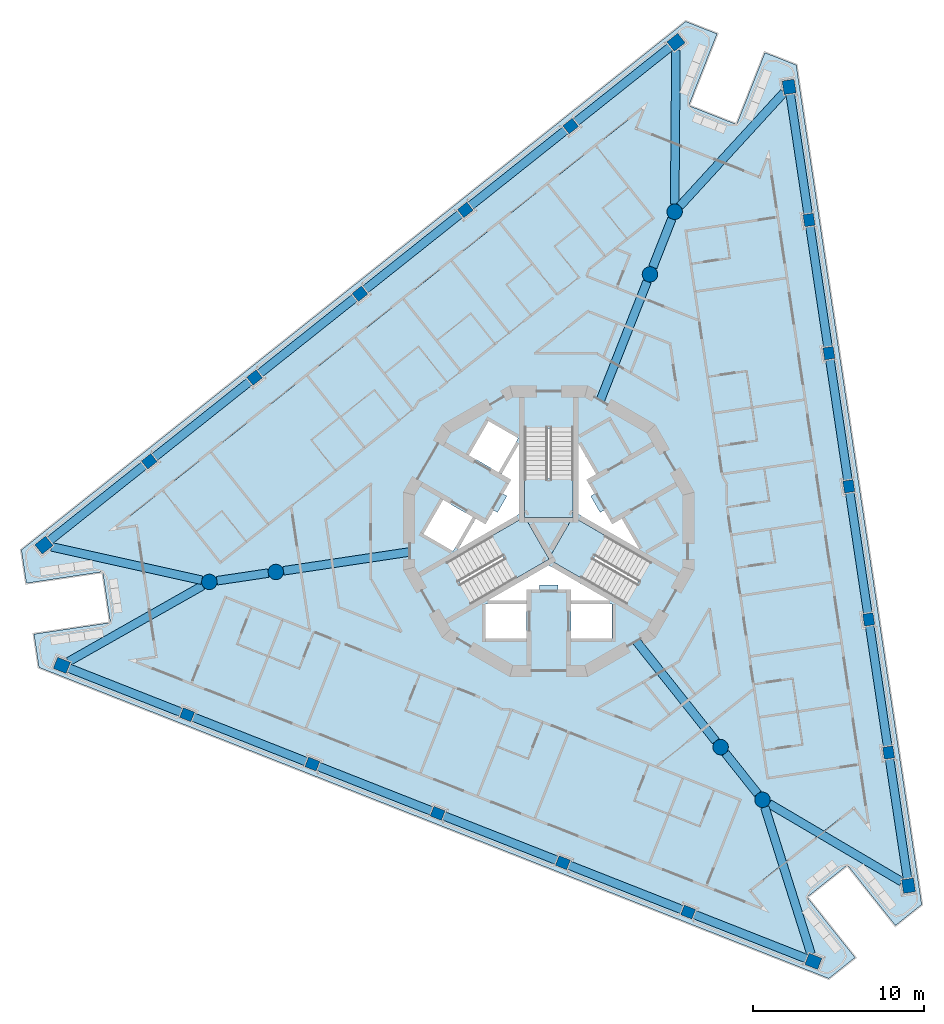
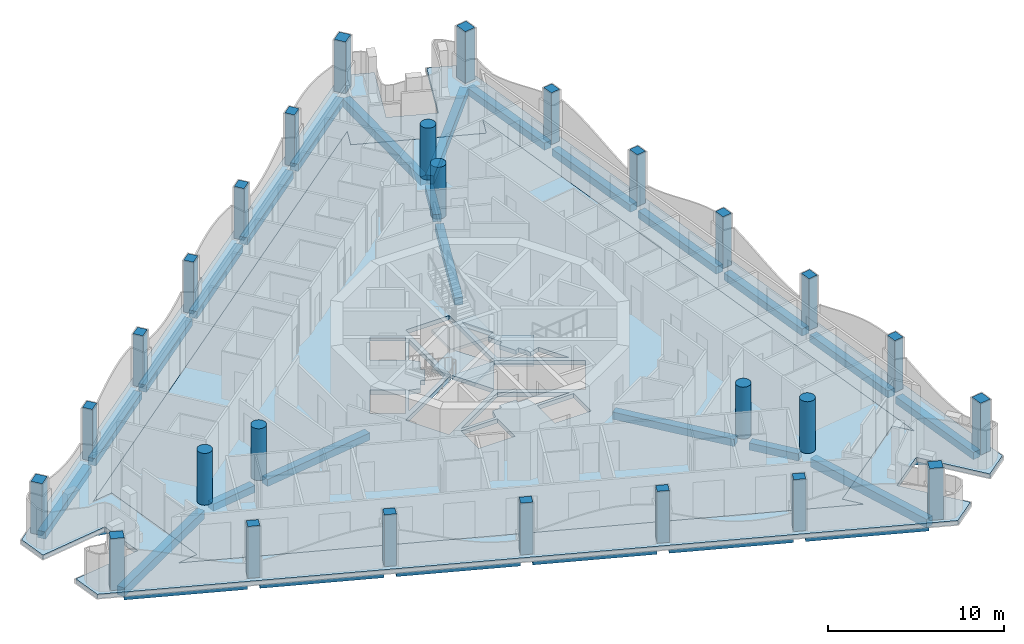
# One storey, part 1 of 17: 30 beams, 27 columns, 6 slabs, 3 elements without a shape of their own.
"""IFC4 building model written with IfcOpenShell, lengths in metres."""

from ifc_helpers import new_model, si_unit, direction, frame, origin, origin_2d, place, context, subcontext, project, spatial, polyline, rectangle, circle, outline, extrude, material, layer, layer_set, material_profile, profile_set, type_object, element, aggregate, save


model = new_model("IFC4")

# Units and contexts
model_context = context("Model", 3, precision=1e-05, world=origin(), true_north=direction((0.0, 1.0)))
body_context = subcontext(model_context, "Body", "Model", "MODEL_VIEW")
ifc_project = project(units=[si_unit("LENGTHUNIT", "METRE"), si_unit("AREAUNIT", "SQUARE_METRE"), si_unit("VOLUMEUNIT", "CUBIC_METRE"), si_unit("PLANEANGLEUNIT", "RADIAN"), si_unit("MASSUNIT", "GRAM", prefix="KILO")], contexts=[model_context])

# Site, building, storey
site_placement = place(None, origin())
site = spatial("IfcSite", under=ifc_project, at=site_placement, CompositionType="ELEMENT")
building_placement = place(site_placement, origin())
building = spatial("IfcBuilding", under=site, at=building_placement, Name="Trine Commons Tower", CompositionType="ELEMENT")
storey_placement = place(building_placement, frame((0.0, 0.0, 216.0)))
storey = spatial("IfcBuildingStorey", under=building, at=storey_placement, Name="L56", CompositionType="ELEMENT", Elevation=216.0)

# Columns
ifc_material_1 = material(Name="Concrete C60/75", Category="concrete")
ifc_material_profile_1 = material_profile(ifc_material_1, rectangle(XDim=0.699951171875, YDim=0.60009765625, at=origin_2d()), Name="RC 700x600")
ifc_profile_set_1 = profile_set([ifc_material_profile_1], Name="Concrete C60/75")
column_type_1 = type_object("IfcColumnType", Name="RC column 700x600, C60/75", PredefinedType="COLUMN", material=ifc_profile_set_1)
for number, where, z_axis, x_axis, name in (
    (1, (88.125, 40.285888671875, 0.0), (0.0, 0.0, 1.0), (-0.930417567982, 0.366501226724, 0.0), "Column PC6-02 L56"),
    (2, (80.82080078125, 43.1630859375, 0.0), (0.0, 0.0, 1.0), (-0.930417567982, 0.366501226724, 0.0), "Column PC6-03 L56"),
    (3, (73.516357421875, 46.04052734375, 0.0), (0.0, 0.0, 1.0), (-0.930417567982, 0.366501226724, 0.0), "Column PC6-04 L56"),
    (4, (66.212158203125, 48.917724609375, 0.0), (0.0, 0.0, 1.0), (-0.930417567982, 0.366501226724, 0.0), "Column PC6-05 L56"),
    (5, (58.90771484375, 51.794921875, 0.0), (0.0, 0.0, 1.0), (-0.930417567982, 0.366501226724, 0.0), "Column PC6-06 L56"),
    (6, (56.699462890625, 66.570556640625, 0.0), (0.0, 0.0, 1.0), (0.782608156852, 0.622514636638, 0.0), "Column PC6-09 L56"),
    (7, (62.843505859375, 71.45751953125, 0.0), (0.0, 0.0, 1.0), (0.782608156852, 0.622514636638, 0.0), "Column PC6-10 L56"),
    (8, (68.9873046875, 76.3447265625, 0.0), (0.0, 0.0, 1.0), (0.782608156852, 0.622514636638, 0.0), "Column PC6-11 L56"),
    (9, (75.13134765625, 81.231689453125, 0.0), (0.0, 0.0, 1.0), (0.782608156852, 0.622514636638, 0.0), "Column PC6-12 L56"),
    (10, (81.275390625, 86.118896484375, 0.0), (0.0, 0.0, 1.0), (0.782608156852, 0.622514636638, 0.0), "Column PC6-13 L56"),
    (11, (95.17529296875, 80.6435546875, 0.0), (0.0, 0.0, 1.0), (-0.14780941113, 0.989015863362, 0.0), "Column PC6-16 L56"),
    (12, (96.335693359375, 72.879150390625, 0.0), (0.0, 0.0, 1.0), (-0.14780941113, 0.989015863362, 0.0), "Column PC6-17 L56"),
    (13, (97.49609375, 65.11474609375, 0.0), (0.0, 0.0, 1.0), (-0.14780941113, 0.989015863362, 0.0), "Column PC6-18 L56"),
    (14, (98.656494140625, 57.350341796875, 0.0), (0.0, 0.0, 1.0), (-0.14780941113, 0.989015863362, 0.0), "Column PC6-19 L56"),
    (15, (99.81689453125, 49.586181640625, 0.0), (0.0, 0.0, 1.0), (-0.14780941113, 0.989015863362, 0.0), "Column PC6-20 L56"),
):
    element("IfcColumn", number, at=place(storey_placement, frame(where, z_axis=z_axis, x_axis=x_axis)), inside=storey, type_object=column_type_1, Name=name, PredefinedType="COLUMN", context=body_context, shape_type="SweptSolid", body=[
        extrude(rectangle(XDim=0.699951171875, YDim=0.60009765625, at=origin_2d()), origin(), (0.0, 0.0, 1.0), 3.60009765625),
    ])
ifc_material_profile_2 = material_profile(ifc_material_1, rectangle(XDim=0.800048828125, YDim=0.699951171875, at=origin_2d()), Name="RC 800x700")
ifc_profile_set_2 = profile_set([ifc_material_profile_2], Name="Concrete C60/75")
column_type_2 = type_object("IfcColumnType", Name="RC column 800x700, C60/75", PredefinedType="COLUMN", material=ifc_profile_set_2)
for number, where, z_axis, x_axis, name in (
    (16, (95.429443359375, 37.40869140625, 0.0), (0.0, 0.0, 1.0), (-0.930417567982, 0.366501226724, 0.0), "Column PC6-01 L56"),
    (17, (51.603515625, 54.67236328125, 0.0), (0.0, 0.0, 1.0), (-0.930417567982, 0.366501226724, 0.0), "Column PC6-07 L56"),
    (18, (50.5556640625, 61.683349609375, 0.0), (0.0, 0.0, 1.0), (0.782608156852, 0.622514636638, 0.0), "Column PC6-08 L56"),
    (19, (87.419189453125, 91.006103515625, 0.0), (0.0, 0.0, 1.0), (0.782608156852, 0.622514636638, 0.0), "Column PC6-14 L56"),
    (20, (94.014892578125, 88.407958984375, 0.0), (0.0, 0.0, 1.0), (-0.14780941113, 0.989015863362, 0.0), "Column PC6-15 L56"),
    (21, (100.977294921875, 41.82177734375, 0.0), (0.0, 0.0, 1.0), (-0.14780941113, 0.989015863362, 0.0), "Column PC6-21 L56"),
):
    element("IfcColumn", number, at=place(storey_placement, frame(where, z_axis=z_axis, x_axis=x_axis)), inside=storey, type_object=column_type_2, Name=name, PredefinedType="COLUMN", context=body_context, shape_type="SweptSolid", body=[
        extrude(rectangle(XDim=0.800048828125, YDim=0.699951171875, at=origin_2d()), origin(), (0.0, 0.0, 1.0), 3.60009765625),
    ])
ifc_material_profile_3 = material_profile(ifc_material_1, circle(Radius=0.449951171875, at=origin_2d()), Name="RC round 900")
ifc_profile_set_3 = profile_set([ifc_material_profile_3], Name="Concrete C60/75")
column_type_3 = type_object("IfcColumnType", Name="RC round column 900 mm, C60/75", PredefinedType="COLUMN", material=ifc_profile_set_3)
for number, where, z_axis, x_axis, name in (
    (22, (90.018798828125, 49.90478515625, 0.0), (0.0, 0.0, 1.0), (1.0, 0.0, 0.0), "Column WC6-1 L56"),
    (23, (92.461669921875, 46.83349609375, 0.0), (0.0, 0.0, 1.0), (1.0, 0.0, 0.0), "Column WC6-2 L56"),
    (24, (85.8984375, 77.47412109375, 0.0), (0.0, 0.0, 1.0), (1.0, 0.0, 0.0), "Column WC6-3 L56"),
    (25, (87.336669921875, 81.125244140625, 0.0), (0.0, 0.0, 1.0), (1.0, 0.0, 0.0), "Column WC6-4 L56"),
    (26, (64.082763671875, 60.12109375, 0.0), (0.0, 0.0, 1.0), (1.0, 0.0, 0.0), "Column WC6-5 L56"),
    (27, (60.20166015625, 59.541015625, 0.0), (0.0, 0.0, 1.0), (1.0, 0.0, 0.0), "Column WC6-6 L56"),
):
    element("IfcColumn", number, at=place(storey_placement, frame(where, z_axis=z_axis, x_axis=x_axis)), inside=storey, type_object=column_type_3, Name=name, PredefinedType="COLUMN", context=body_context, shape_type="SweptSolid", body=[
        extrude(circle(Radius=0.449951171875, at=origin_2d()), origin(), (0.0, 0.0, 1.0), 3.60009765625),
    ])

# Beams
ifc_material_2 = material(Name="Concrete C40/50", Category="concrete")
ifc_material_profile_4 = material_profile(ifc_material_2, rectangle(XDim=0.5, YDim=0.5, at=origin_2d()), Name="RC 500x500")
ifc_profile_set_4 = profile_set([ifc_material_profile_4], Name="Concrete C40/50")
beam_type_1 = type_object("IfcBeamType", Name="RC beam 500x500, C40/50", PredefinedType="BEAM", material=ifc_profile_set_4)
beam_1_placement = place(storey_placement, frame((95.05712890625, 37.555419921875, -0.550048828125), z_axis=(-0.930420117749, 0.366494753699, 0.0), x_axis=(-0.366494753699, -0.930420117749, 0.0)))
element("IfcBeam", 28, at=beam_1_placement, inside=storey, type_object=beam_type_1, Name="Beam EB6-01 L56", PredefinedType="BEAM", context=body_context, shape_type="SweptSolid", body=[
    extrude(rectangle(XDim=0.5, YDim=0.5, at=origin_2d()), origin(), (0.0, 0.0, 1.0), 7.1005859375),
])
for number, where, z_axis, x_axis, name in (
    (29, (87.799560546875, 40.414306640625, -0.550048828125), (-0.93042285796, 0.366487797048, 0.0), (-0.366487797048, -0.93042285796, 0.0), "Beam EB6-02 L56"),
    (30, (80.4951171875, 43.29150390625, -0.550048828125), (-0.93042285796, 0.366487797048, 0.0), (-0.366487797048, -0.93042285796, 0.0), "Beam EB6-03 L56"),
):
    element("IfcBeam", number, at=place(storey_placement, frame(where, z_axis=z_axis, x_axis=x_axis)), inside=storey, type_object=beam_type_1, Name=name, PredefinedType="BEAM", context=body_context, shape_type="SweptSolid", body=[
        extrude(rectangle(XDim=0.5, YDim=0.5, at=origin_2d()), origin(), (0.0, 0.0, 1.0), 7.150634765625),
    ])
beam_2_placement = place(storey_placement, frame((73.19091796875, 46.168701171875, -0.550048828125), z_axis=(-0.930427443561, 0.366476155115, 0.0), x_axis=(-0.366476155115, -0.930427443561, 0.0)))
element("IfcBeam", 31, at=beam_2_placement, inside=storey, type_object=beam_type_1, Name="Beam EB6-04 L56", PredefinedType="BEAM", context=body_context, shape_type="SweptSolid", body=[
    extrude(rectangle(XDim=0.5, YDim=0.5, at=origin_2d()), origin(), (0.0, 0.0, 1.0), 7.15087890625),
])
beam_3_placement = place(storey_placement, frame((65.886474609375, 49.0458984375, -0.550048828125), z_axis=(-0.930411215363, 0.366517353378, 0.0), x_axis=(-0.366517353378, -0.930411215363, 0.0)))
element("IfcBeam", 32, at=beam_3_placement, inside=storey, type_object=beam_type_1, Name="Beam EB6-05 L56", PredefinedType="BEAM", context=body_context, shape_type="SweptSolid", body=[
    extrude(rectangle(XDim=0.5, YDim=0.5, at=origin_2d()), origin(), (0.0, 0.0, 1.0), 7.150634765625),
])
beam_4_placement = place(storey_placement, frame((58.582275390625, 51.92333984375, -0.550048828125), z_axis=(-0.930424735877, 0.366483029441, 0.0), x_axis=(-0.366483029441, -0.930424735877, 0.0)))
element("IfcBeam", 33, at=beam_4_placement, inside=storey, type_object=beam_type_1, Name="Beam EB6-06 L56", PredefinedType="BEAM", context=body_context, shape_type="SweptSolid", body=[
    extrude(rectangle(XDim=0.5, YDim=0.5, at=origin_2d()), origin(), (0.0, 0.0, 1.0), 7.100830078125),
])
beam_5_placement = place(storey_placement, frame((50.86865234375, 61.932373046875, -0.550048828125), z_axis=(0.782606764813, 0.622516386667, 0.0), x_axis=(-0.622516386667, 0.782606764813, 0.0)))
element("IfcBeam", 34, at=beam_5_placement, inside=storey, type_object=beam_type_1, Name="Beam EB6-07 L56", PredefinedType="BEAM", context=body_context, shape_type="SweptSolid", body=[
    extrude(rectangle(XDim=0.5, YDim=0.5, at=origin_2d()), origin(), (0.0, 0.0, 1.0), 7.1005859375),
])
beam_6_placement = place(storey_placement, frame((56.973388671875, 66.788330078125, -0.550048828125), z_axis=(0.78260785881, 0.622515011329, 0.0), x_axis=(-0.622515011329, 0.78260785881, 0.0)))
element("IfcBeam", 35, at=beam_6_placement, inside=storey, type_object=beam_type_1, Name="Beam EB6-08 L56", PredefinedType="BEAM", context=body_context, shape_type="SweptSolid", body=[
    extrude(rectangle(XDim=0.5, YDim=0.5, at=origin_2d()), origin(), (0.0, 0.0, 1.0), 7.150634765625),
])
beam_7_placement = place(storey_placement, frame((63.117431640625, 71.675537109375, -0.550048828125), z_axis=(0.782611261581, 0.622510733439, 0.0), x_axis=(-0.622510733439, 0.782611261581, 0.0)))
element("IfcBeam", 36, at=beam_7_placement, inside=storey, type_object=beam_type_1, Name="Beam EB6-09 L56", PredefinedType="BEAM", context=body_context, shape_type="SweptSolid", body=[
    extrude(rectangle(XDim=0.5, YDim=0.5, at=origin_2d()), origin(), (0.0, 0.0, 1.0), 7.150390625),
])
for number, where, z_axis, x_axis, name in (
    (37, (69.26123046875, 76.5625, -0.550048828125), (0.78260785881, 0.622515011329, 0.0), (-0.622515011329, 0.78260785881, 0.0), "Beam EB6-10 L56"),
    (38, (75.4052734375, 81.44970703125, -0.550048828125), (0.782624492464, 0.622494099407, 0.0), (-0.622494099407, 0.782624492464, 0.0), "Beam EB6-11 L56"),
):
    element("IfcBeam", number, at=place(storey_placement, frame(where, z_axis=z_axis, x_axis=x_axis)), inside=storey, type_object=beam_type_1, Name=name, PredefinedType="BEAM", context=body_context, shape_type="SweptSolid", body=[
        extrude(rectangle(XDim=0.5, YDim=0.5, at=origin_2d()), origin(), (0.0, 0.0, 1.0), 7.150634765625),
    ])
beam_8_placement = place(storey_placement, frame((81.54931640625, 86.3369140625, -0.550048828125), z_axis=(0.782606764813, 0.622516386667, 0.0), x_axis=(-0.622516386667, 0.782606764813, 0.0)))
element("IfcBeam", 39, at=beam_8_placement, inside=storey, type_object=beam_type_1, Name="Beam EB6-12 L56", PredefinedType="BEAM", context=body_context, shape_type="SweptSolid", body=[
    extrude(rectangle(XDim=0.5, YDim=0.5, at=origin_2d()), origin(), (0.0, 0.0, 1.0), 7.1005859375),
])
beam_9_placement = place(storey_placement, frame((94.07421875, 88.01220703125, -0.550048828125), z_axis=(0.147815848306, -0.989014901298, 0.0), x_axis=(0.989014901298, 0.147815848306, 0.0)))
element("IfcBeam", 40, at=beam_9_placement, inside=storey, type_object=beam_type_1, Name="Beam EB6-13 L56", PredefinedType="BEAM", context=body_context, shape_type="SweptSolid", body=[
    extrude(rectangle(XDim=0.5, YDim=0.5, at=origin_2d()), origin(), (0.0, 0.0, 1.0), 7.100341796875),
])
for number, where, z_axis, x_axis, name in (
    (41, (95.22705078125, 80.29736328125, -0.550048828125), (0.147804496566, -0.989016597836, 0.0), (0.989016597836, 0.147804496566, 0.0), "Beam EB6-14 L56"),
    (42, (96.387451171875, 72.532958984375, -0.550048828125), (0.147804496566, -0.989016597836, 0.0), (0.989016597836, 0.147804496566, 0.0), "Beam EB6-15 L56"),
    (43, (97.5478515625, 64.7685546875, -0.550048828125), (0.147804496566, -0.989016597836, 0.0), (0.989016597836, 0.147804496566, 0.0), "Beam EB6-16 L56"),
):
    element("IfcBeam", number, at=place(storey_placement, frame(where, z_axis=z_axis, x_axis=x_axis)), inside=storey, type_object=beam_type_1, Name=name, PredefinedType="BEAM", context=body_context, shape_type="SweptSolid", body=[
        extrude(rectangle(XDim=0.5, YDim=0.5, at=origin_2d()), origin(), (0.0, 0.0, 1.0), 7.150634765625),
    ])
beam_10_placement = place(storey_placement, frame((98.708251953125, 57.004150390625, -0.550048828125), z_axis=(0.147809487776, -0.989015851907, 0.0), x_axis=(0.989015851907, 0.147809487776, 0.0)))
element("IfcBeam", 44, at=beam_10_placement, inside=storey, type_object=beam_type_1, Name="Beam EB6-17 L56", PredefinedType="BEAM", context=body_context, shape_type="SweptSolid", body=[
    extrude(rectangle(XDim=0.5, YDim=0.5, at=origin_2d()), origin(), (0.0, 0.0, 1.0), 7.150390625),
])
beam_11_placement = place(storey_placement, frame((99.86865234375, 49.239990234375, -0.550048828125), z_axis=(0.14781082184, -0.989015652529, 0.0), x_axis=(0.989015652529, 0.14781082184, 0.0)))
element("IfcBeam", 45, at=beam_11_placement, inside=storey, type_object=beam_type_1, Name="Beam EB6-18 L56", PredefinedType="BEAM", context=body_context, shape_type="SweptSolid", body=[
    extrude(rectangle(XDim=0.5, YDim=0.5, at=origin_2d()), origin(), (0.0, 0.0, 1.0), 7.1005859375),
])
beam_12_placement = place(storey_placement, frame((85.101318359375, 56.0869140625, -0.550048828125), z_axis=(0.622498476125, -0.782621011232, 0.0), x_axis=(0.782621011232, 0.622498476125, 0.0)))
element("IfcBeam", 46, at=beam_12_placement, inside=storey, type_object=beam_type_1, Name="Beam RB6-01 L56", PredefinedType="BEAM", context=body_context, shape_type="SweptSolid", body=[
    extrude(rectangle(XDim=0.5, YDim=0.5, at=origin_2d()), origin(), (0.0, 0.0, 1.0), 7.44970703125),
])
beam_13_placement = place(storey_placement, frame((90.298583984375, 49.552734375, -0.550048828125), z_axis=(0.622497726794, -0.782621607251, 0.0), x_axis=(0.782621607251, 0.622497726794, 0.0)))
element("IfcBeam", 47, at=beam_13_placement, inside=storey, type_object=beam_type_1, Name="Beam RB6-02 L56", PredefinedType="BEAM", context=body_context, shape_type="SweptSolid", body=[
    extrude(rectangle(XDim=0.5, YDim=0.5, at=origin_2d()), origin(), (0.0, 0.0, 1.0), 3.02490234375),
])
beam_14_placement = place(storey_placement, frame((83.00341796875, 70.12451171875, -0.550048828125), z_axis=(0.366497867563, 0.930418891184, 0.0), x_axis=(-0.930418891184, 0.366497867563, 0.0)))
element("IfcBeam", 48, at=beam_14_placement, inside=storey, type_object=beam_type_1, Name="Beam RB6-03 L56", PredefinedType="BEAM", context=body_context, shape_type="SweptSolid", body=[
    extrude(rectangle(XDim=0.5, YDim=0.5, at=origin_2d()), origin(), (0.0, 0.0, 1.0), 7.449462890625),
])
beam_15_placement = place(storey_placement, frame((86.063232421875, 77.892578125, -0.550048828125), z_axis=(0.366528753051, 0.930406724603, 0.0), x_axis=(-0.930406724603, 0.366528753051, 0.0)))
element("IfcBeam", 49, at=beam_15_placement, inside=storey, type_object=beam_type_1, Name="Beam RB6-04 L56", PredefinedType="BEAM", context=body_context, shape_type="SweptSolid", body=[
    extrude(rectangle(XDim=0.5, YDim=0.5, at=origin_2d()), origin(), (0.0, 0.0, 1.0), 3.024658203125),
])
beam_16_placement = place(storey_placement, frame((71.8955078125, 61.288818359375, -0.550048828125), z_axis=(-0.989013138411, -0.147827643054, 0.0), x_axis=(0.147827643054, -0.989013138411, 0.0)))
element("IfcBeam", 50, at=beam_16_placement, inside=storey, type_object=beam_type_1, Name="Beam RB6-05 L56", PredefinedType="BEAM", context=body_context, shape_type="SweptSolid", body=[
    extrude(rectangle(XDim=0.5, YDim=0.5, at=origin_2d()), origin(), (0.0, 0.0, 1.0), 7.449951171875),
])
beam_17_placement = place(storey_placement, frame((63.63818359375, 60.0546875, -0.550048828125), z_axis=(-0.989011987503, -0.14783534278, 0.0), x_axis=(0.14783534278, -0.989011987503, 0.0)))
element("IfcBeam", 51, at=beam_17_placement, inside=storey, type_object=beam_type_1, Name="Beam RB6-06 L56", PredefinedType="BEAM", context=body_context, shape_type="SweptSolid", body=[
    extrude(rectangle(XDim=0.5, YDim=0.5, at=origin_2d()), origin(), (0.0, 0.0, 1.0), 3.025390625),
])
ifc_material_profile_5 = material_profile(ifc_material_2, rectangle(XDim=0.5, YDim=0.60009765625, at=origin_2d()), Name="RC 500x600")
ifc_profile_set_5 = profile_set([ifc_material_profile_5], Name="Concrete C40/50")
beam_type_2 = type_object("IfcBeamType", Name="RC beam 500x600, C40/50", PredefinedType="BEAM", material=ifc_profile_set_5)
for number, where, z_axis, x_axis, name in (
    (52, (51.9951171875, 54.89404296875, -0.60009765625), (0.870168672724, 0.492753976148, 0.0), (-0.492753976148, 0.870168672724, 0.0), "Beam CB6-01 L56"),
    (53, (50.9951171875, 61.585693359375, -0.60009765625), (0.976218391118, -0.216789420505, 0.0), (0.216789420505, 0.976218391118, 0.0), "Beam CB6-02 L56"),
):
    element("IfcBeam", number, at=place(storey_placement, frame(where, z_axis=z_axis, x_axis=x_axis)), inside=storey, type_object=beam_type_2, Name=name, PredefinedType="BEAM", context=body_context, shape_type="SweptSolid", body=[
        extrude(rectangle(XDim=0.5, YDim=0.60009765625, at=origin_2d()), origin(), (0.0, 0.0, 1.0), 8.981201171875),
    ])
beam_18_placement = place(storey_placement, frame((87.41552734375, 90.555908203125, -0.60009765625), z_axis=(-0.008345502486, -0.999965175688, 0.0), x_axis=(0.999965175688, -0.008345502486, 0.0)))
element("IfcBeam", 54, at=beam_18_placement, inside=storey, type_object=beam_type_2, Name="Beam CB6-03 L56", PredefinedType="BEAM", context=body_context, shape_type="SweptSolid", body=[
    extrude(rectangle(XDim=0.5, YDim=0.60009765625, at=origin_2d()), origin(), (0.0, 0.0, 1.0), 8.98095703125),
])
beam_19_placement = place(storey_placement, frame((93.710693359375, 88.076171875, -0.60009765625), z_axis=(-0.675864939366, -0.737025497344, 0.0), x_axis=(0.737025497344, -0.675864939366, 0.0)))
element("IfcBeam", 55, at=beam_19_placement, inside=storey, type_object=beam_type_2, Name="Beam CB6-04 L56", PredefinedType="BEAM", context=body_context, shape_type="SweptSolid", body=[
    extrude(rectangle(XDim=0.5, YDim=0.60009765625, at=origin_2d()), origin(), (0.0, 0.0, 1.0), 8.9814453125),
])
for number, where, z_axis, x_axis, name in (
    (56, (100.58935546875, 42.050048828125, -0.60009765625), (-0.861820288966, 0.507213751319, 0.0), (-0.507213751319, -0.861820288966, 0.0), "Beam CB6-05 L56"),
    (57, (95.294189453125, 37.838134765625, -0.60009765625), (-0.300354576277, 0.953827619913, 0.0), (-0.953827619913, -0.300354576277, 0.0), "Beam CB6-06 L56"),
):
    element("IfcBeam", number, at=place(storey_placement, frame(where, z_axis=z_axis, x_axis=x_axis)), inside=storey, type_object=beam_type_2, Name=name, PredefinedType="BEAM", context=body_context, shape_type="SweptSolid", body=[
        extrude(rectangle(XDim=0.5, YDim=0.60009765625, at=origin_2d()), origin(), (0.0, 0.0, 1.0), 8.981201171875),
    ])

# Slabs
ifc_layer_1 = layer(ifc_material_2, 0.300048828125)
ifc_layer_set_1 = layer_set([ifc_layer_1], Name="Concrete C40/50")
slab_type_1 = type_object("IfcSlabType", Name="Loggia slab 300 mm, C40/50", PredefinedType="FLOOR", material=ifc_layer_set_1)
slab_1_placement = place(storey_placement, frame((0.0, 0.0, -0.300048828125)))
element("IfcSlab", 58, at=slab_1_placement, inside=storey, type_object=slab_type_1, Name="Loggia slab L56", PredefinedType="FLOOR", context=body_context, shape_type="SweptSolid", body=[
    extrude(outline(polyline([(101.748046875, 40.7236328125), (94.430908203125, 89.683349609375), (92.603515625, 90.4033203125), (90.954345703125, 86.21630859375), (88.1630859375, 87.31591796875), (89.812255859375, 91.502685546875), (87.98486328125, 92.22265625), (49.242919921875, 61.406005859375), (49.533203125, 59.46337890625), (53.98388671875, 60.12841796875), (54.42724609375, 57.16162109375), (49.976806640625, 56.496337890625), (50.26708984375, 54.5537109375), (96.325927734375, 36.41064453125), (97.86328125, 37.63330078125), (95.061767578125, 41.155029296875), (97.40966796875, 43.022705078125), (100.2109375, 39.5009765625), (101.748046875, 40.7236328125)]), holes=[polyline([(56.002685546875, 62.85693359375), (57.15576171875, 55.142578125), (55.825439453125, 54.94384765625), (92.52685546875, 40.48681640625), (91.689453125, 41.539306640625), (97.7939453125, 46.39501953125), (98.631103515625, 45.34228515625), (92.80078125, 84.355224609375), (92.3076171875, 83.103759765625), (85.050537109375, 85.96240234375), (85.54345703125, 87.2138671875), (54.672607421875, 62.658203125), (56.002685546875, 62.85693359375)])]), origin(), (0.0, 0.0, 1.0), 0.300048828125),
])
ifc_layer_2 = layer(ifc_material_2, 0.300048828125)
ifc_layer_set_2 = layer_set([ifc_layer_2], Name="Concrete C40/50")
slab_type_2 = type_object("IfcSlabType", Name="PT flat slab 300 mm, C40/50", PredefinedType="FLOOR", material=ifc_layer_set_2)
slab_2_placement = place(storey_placement, frame((0.0, 0.0, -0.300048828125)))
element("IfcSlab", 59, at=slab_2_placement, inside=storey, type_object=slab_type_2, Name="Floor slab L56", PredefinedType="FLOOR", context=body_context, shape_type="SweptSolid", body=[
    extrude(outline(polyline([(54.672607421875, 62.658203125), (56.002685546875, 62.85693359375), (57.15576171875, 55.142578125), (55.825439453125, 54.94384765625), (92.52685546875, 40.48681640625), (91.689453125, 41.539306640625), (97.7939453125, 46.39501953125), (98.631103515625, 45.34228515625), (92.80078125, 84.355224609375), (92.3076171875, 83.103759765625), (85.050537109375, 85.96240234375), (85.54345703125, 87.2138671875), (54.672607421875, 62.658203125)]), holes=[polyline([(78.699951171875, 56.25), (78.699951171875, 58.25), (76.300048828125, 58.25), (76.300048828125, 56.25), (78.699951171875, 56.25)]), polyline([(83.699951171875, 56.25), (83.699951171875, 58.25), (81.300048828125, 58.25), (81.300048828125, 56.25), (83.699951171875, 56.25)]), polyline([(81.300048828125, 58.449951171875), (83.56494140625, 58.449951171875), (80.0, 60.508056640625), (76.43505859375, 58.449951171875), (78.699951171875, 58.449951171875), (78.85009765625, 59.10009765625), (79.449951171875, 59.10009765625), (79.449951171875, 59.360107421875), (80.550048828125, 59.360107421875), (80.550048828125, 59.10009765625), (81.14990234375, 59.10009765625), (81.300048828125, 58.449951171875)]), polyline([(81.425048828125, 63.32275390625), (81.425048828125, 68.490478515625), (78.574951171875, 68.490478515625), (78.574951171875, 63.32275390625), (74.099609375, 60.73876953125), (75.5244140625, 58.2705078125), (80.0, 60.8544921875), (84.4755859375, 58.2705078125), (85.900390625, 60.73876953125), (81.425048828125, 63.32275390625)]), polyline([(72.687255859375, 62.333984375), (74.41943359375, 61.333984375), (75.5693359375, 63.325927734375), (73.83740234375, 64.325927734375), (72.687255859375, 62.333984375)]), polyline([(76.381103515625, 63.031005859375), (75.742919921875, 63.22607421875), (74.7099609375, 61.43798828125), (78.27490234375, 63.49609375), (78.27490234375, 67.612060546875), (77.242919921875, 65.823974609375), (77.73095703125, 65.368896484375), (77.3310546875, 64.676025390625), (77.555908203125, 64.5458984375), (77.006103515625, 63.593994140625), (76.781005859375, 63.722900390625), (76.381103515625, 63.031005859375)]), polyline([(82.993896484375, 63.593994140625), (82.444091796875, 64.5458984375), (82.72705078125, 64.7099609375), (82.281005859375, 65.549072265625), (82.757080078125, 65.823974609375), (81.72509765625, 67.612060546875), (81.72509765625, 63.49609375), (85.2900390625, 61.43798828125), (84.257080078125, 63.22607421875), (83.618896484375, 63.031005859375), (83.243896484375, 63.738037109375), (82.993896484375, 63.593994140625)]), polyline([(76.4873046875, 68.916015625), (75.33740234375, 66.924072265625), (77.0693359375, 65.924072265625), (78.219482421875, 67.916015625), (76.4873046875, 68.916015625)])]), origin(), (0.0, 0.0, 1.0), 0.300048828125),
])
slab_3_placement = place(storey_placement, frame((0.0, 0.0, -0.300048828125)))
element("IfcSlab", 60, at=slab_3_placement, inside=storey, type_object=slab_type_2, Name="Floor slab L56 2", PredefinedType="FLOOR", context=body_context, shape_type="SweptSolid", body=[
    extrude(outline(polyline([(81.38671875, 63.300537109375), (78.61328125, 63.300537109375), (80.0, 60.89892578125), (81.38671875, 63.300537109375)])), origin(), (0.0, 0.0, 1.0), 0.300048828125),
])

# Stair, slab
ifc_material_3 = material(Name="Concrete C50/60", Category="concrete")
stair_type = type_object("IfcStairType", Name="Exit stair, dog-leg, 24 risers of 150 mm", PredefinedType="HALF_TURN_STAIR", material=ifc_material_3)
stair_1_placement = place(storey_placement, origin())
stair_1 = element("IfcStair", 61, at=stair_1_placement, inside=storey, type_object=stair_type, Name="L56 Exit stair ST1C", PredefinedType="HALF_TURN_STAIR")
ifc_layer_3 = layer(ifc_material_3, 0.199951171875)
ifc_layer_set_3 = layer_set([ifc_layer_3], Name="Concrete C50/60")
slab_type_3 = type_object("IfcSlabType", Name="Stair landing slab 200 mm, C50/60", PredefinedType="LANDING", material=ifc_layer_set_3)
slab_4_placement = place(storey_placement, frame((0.0, 0.0, 1.60009765625)))
slab_4 = element("IfcSlab", 62, at=slab_4_placement, type_object=slab_type_3, Name="ST1C landing 1", PredefinedType="LANDING", context=body_context, shape_type="SweptSolid", body=[
    extrude(outline(polyline([(78.574951171875, 65.570556640625), (78.574951171875, 63.300537109375), (81.425048828125, 63.300537109375), (81.425048828125, 65.570556640625), (78.574951171875, 65.570556640625)])), origin(), (0.0, 0.0, 1.0), 0.199951171875),
])
aggregate(stair_1, [slab_4])

stair_2_placement = place(storey_placement, origin())
stair_2 = element("IfcStair", 63, at=stair_2_placement, inside=storey, type_object=stair_type, Name="L56 Exit stair ST2C", PredefinedType="HALF_TURN_STAIR")
slab_5_placement = place(storey_placement, frame((0.0, 0.0, 1.60009765625)))
slab_5 = element("IfcSlab", 64, at=slab_5_placement, type_object=slab_type_3, Name="ST2C landing 1", PredefinedType="LANDING", context=body_context, shape_type="SweptSolid", body=[
    extrude(outline(polyline([(78.05322265625, 59.730712890625), (80.019287109375, 60.86572265625), (78.59423828125, 63.333740234375), (76.628173828125, 62.19873046875), (78.05322265625, 59.730712890625)])), origin(), (0.0, 0.0, 1.0), 0.199951171875),
])
aggregate(stair_2, [slab_5])

stair_3_placement = place(storey_placement, origin())
stair_3 = element("IfcStair", 65, at=stair_3_placement, inside=storey, type_object=stair_type, Name="L56 Exit stair ST3C", PredefinedType="HALF_TURN_STAIR")
slab_6_placement = place(storey_placement, frame((0.0, 0.0, 1.60009765625)))
slab_6 = element("IfcSlab", 66, at=slab_6_placement, type_object=slab_type_3, Name="ST3C landing 1", PredefinedType="LANDING", context=body_context, shape_type="SweptSolid", body=[
    extrude(outline(polyline([(83.371826171875, 62.19873046875), (81.40576171875, 63.333740234375), (79.980712890625, 60.86572265625), (81.94677734375, 59.730712890625), (83.371826171875, 62.19873046875)])), origin(), (0.0, 0.0, 1.0), 0.199951171875),
])
aggregate(stair_3, [slab_6])

save(model, "model.ifc")
